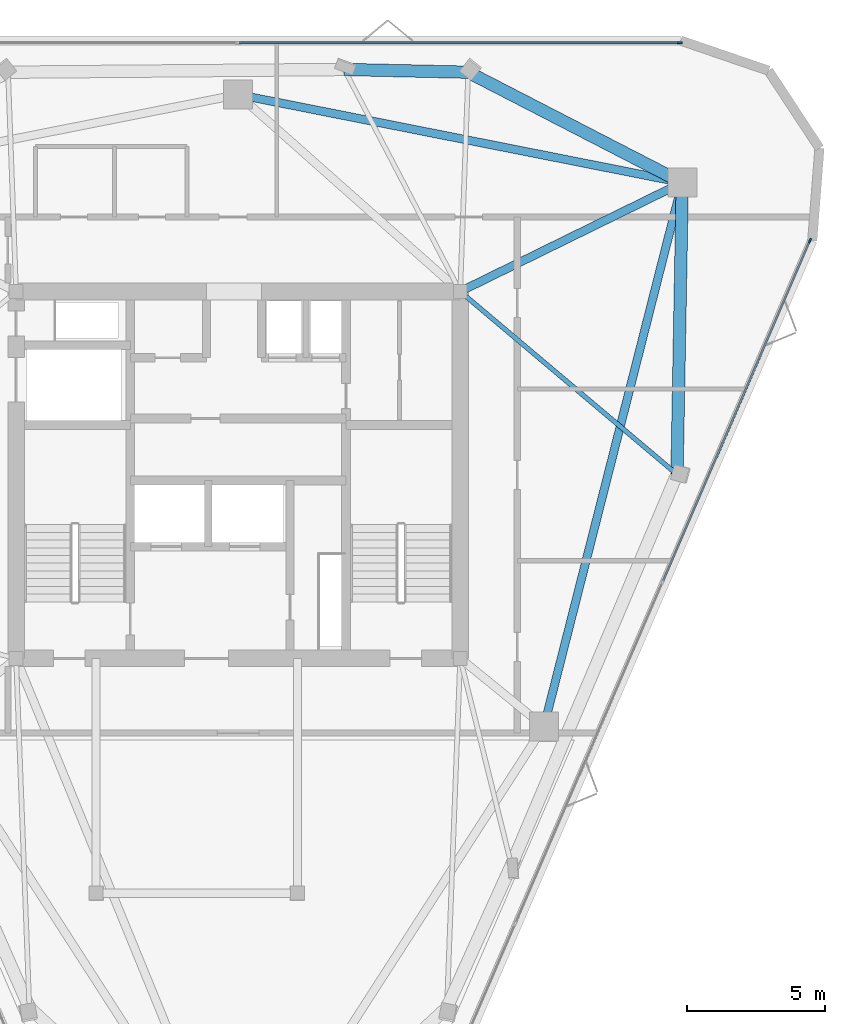
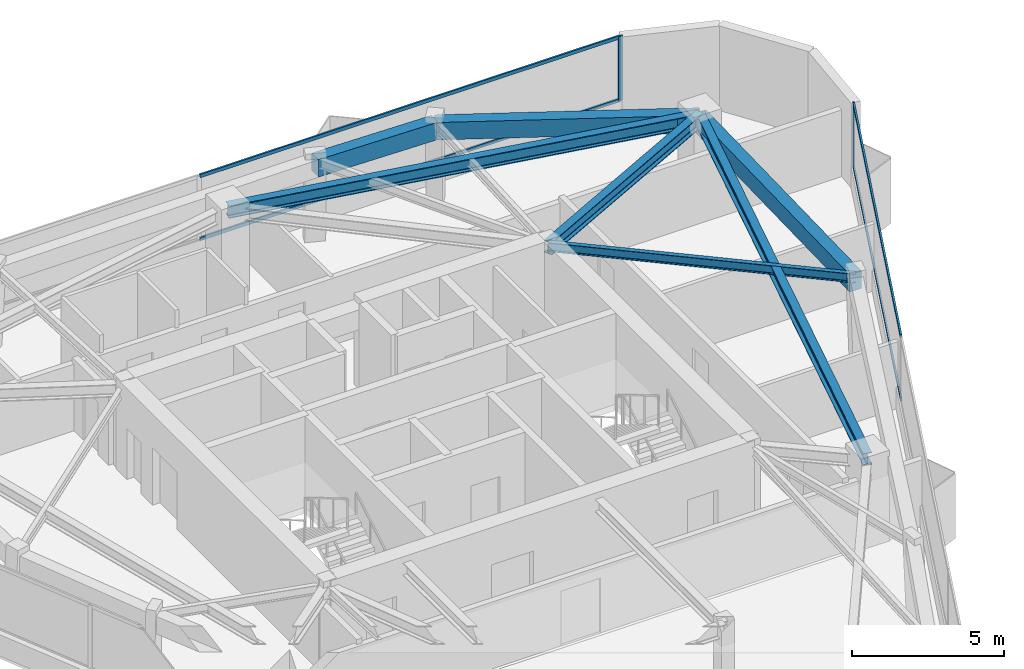
# One storey, part 5 of 9: 7 beams, 6 members, 2 elements without a shape of their own.
"""IFC4 building model written with IfcOpenShell, lengths in metres."""

from ifc_helpers import new_model, si_unit, direction, frame, origin, origin_2d, place, context, subcontext, project, spatial, rectangle, i_section, extrude, material, layer, layer_set, material_profile, profile_set, type_object, element, aggregate, save


model = new_model("IFC4")

# Units and contexts
model_context = context("Model", 3, precision=1e-05, world=origin(), true_north=direction((0.0, 1.0)))
body_context = subcontext(model_context, "Body", "Model", "MODEL_VIEW")
ifc_project = project(units=[si_unit("LENGTHUNIT", "METRE"), si_unit("AREAUNIT", "SQUARE_METRE"), si_unit("VOLUMEUNIT", "CUBIC_METRE"), si_unit("PLANEANGLEUNIT", "RADIAN"), si_unit("MASSUNIT", "GRAM", prefix="KILO")], contexts=[model_context])

# Site, building, storey
site_placement = place(None, origin())
site = spatial("IfcSite", under=ifc_project, at=site_placement, CompositionType="ELEMENT")
building_placement = place(site_placement, origin())
building = spatial("IfcBuilding", under=site, at=building_placement, Name="Talyreon Biosciences Tower", CompositionType="ELEMENT")
storey_placement = place(building_placement, frame((0.0, 0.0, 291.10009765625)))
storey = spatial("IfcBuildingStorey", under=building, at=storey_placement, Name="L77", CompositionType="ELEMENT", Elevation=291.10009765625)

# Curtain wall, member
ifc_material_1 = material(Name="Thermally broken aluminium and low-E glazing", Category="aluminium")
ifc_layer = layer(ifc_material_1, 0.175048828125)
ifc_layer_set = layer_set([ifc_layer], Name="Thermally broken aluminium and low-E glazing")
curtain_wall_type = type_object("IfcCurtainWallType", Name="CurtainWall_Zone5CompLab", PredefinedType="NOTDEFINED", material=ifc_layer_set)
curtain_wall_1_placement = place(storey_placement, origin())
curtain_wall_1 = element("IfcCurtainWall", 1, at=curtain_wall_1_placement, inside=storey, type_object=curtain_wall_type, Name="L77 Unitised Curtain Wall FCW-L77-04", PredefinedType="NOTDEFINED")
ifc_material_2 = material(Name="Anodised thermally broken aluminium", Category="aluminium")
ifc_material_profile_1 = material_profile(ifc_material_2, rectangle(XDim=0.06494140625, YDim=0.179931640625, at=origin_2d()), Name="ALUM MULLION 65x180")
ifc_profile_set_1 = profile_set([ifc_material_profile_1], Name="Anodised thermally broken aluminium")
member_type_1 = type_object("IfcMemberType", Name="CWMullion_65x180", PredefinedType="MULLION", material=ifc_profile_set_1)
member_1_placement = place(storey_placement, frame((82.009765625, 83.67041015625, 0.809814453125), z_axis=(0.0, 0.0, 1.0), x_axis=(0.0, 1.0, 0.0)))
member_1 = element("IfcMember", 2, at=member_1_placement, type_object=member_type_1, Name="CW6 mullion 3", PredefinedType="MULLION", context=body_context, shape_type="SweptSolid", body=[
    extrude(rectangle(XDim=0.06494140625, YDim=0.179931640625, at=origin_2d()), origin(), (0.0, 0.0, 1.0), 2.590087890625),
])

curtain_wall_2_placement = place(storey_placement, origin())
curtain_wall_2 = element("IfcCurtainWall", 3, at=curtain_wall_2_placement, inside=storey, type_object=curtain_wall_type, Name="L77 Unitised Curtain Wall FCW-L77-08", PredefinedType="NOTDEFINED")
member_2_placement = place(storey_placement, frame((86.73046875, 76.4921875, 0.809814453125), z_axis=(0.0, 0.0, 1.0), x_axis=(0.918187314575, -0.396146507437, 0.0)))
member_2 = element("IfcMember", 4, at=member_2_placement, type_object=member_type_1, Name="CW6 mullion 1", PredefinedType="MULLION", context=body_context, shape_type="SweptSolid", body=[
    extrude(rectangle(XDim=0.06494140625, YDim=0.179931640625, at=origin_2d()), origin(), (0.0, 0.0, 1.0), 2.590087890625),
])

# Member
ifc_material_profile_2 = material_profile(ifc_material_2, rectangle(XDim=0.06494140625, YDim=0.139892578125, at=origin_2d()), Name="ALUM TRANSOM 65x140")
ifc_profile_set_2 = profile_set([ifc_material_profile_2], Name="Anodised thermally broken aluminium")
member_type_2 = type_object("IfcMemberType", Name="CWTransom_65x140", PredefinedType="USERDEFINED", material=ifc_profile_set_2)
member_3_placement = place(storey_placement, frame((66.032470703125, 83.67041015625, 0.84228515625), z_axis=(1.0, 0.0, 0.0), x_axis=(0.0, 1.0, 0.0)))
member_3 = element("IfcMember", 5, at=member_3_placement, type_object=member_type_2, Name="CW6 transom 2.1", ObjectType="TRANSOM", PredefinedType="USERDEFINED", context=body_context, shape_type="SweptSolid", body=[
    extrude(rectangle(XDim=0.06494140625, YDim=0.139892578125, at=origin_2d()), origin(), (0.0, 0.0, 1.0), 15.94482421875),
])

member_4_placement = place(storey_placement, frame((66.032470703125, 83.67041015625, 3.367431640625), z_axis=(1.0, 0.0, 0.0), x_axis=(0.0, 1.0, 0.0)))
member_4 = element("IfcMember", 6, at=member_4_placement, type_object=member_type_2, Name="CW6 transom 2.2", ObjectType="TRANSOM", PredefinedType="USERDEFINED", context=body_context, shape_type="SweptSolid", body=[
    extrude(rectangle(XDim=0.06494140625, YDim=0.139892578125, at=origin_2d()), origin(), (0.0, 0.0, 1.0), 15.94482421875),
])

aggregate(curtain_wall_1, [member_1, member_3, member_4])

member_5_placement = place(storey_placement, frame((86.717529296875, 76.46240234375, 0.84228515625), z_axis=(-0.396134480122, -0.918192503595, 0.0), x_axis=(0.918192503595, -0.396134480122, 0.0)))
member_5 = element("IfcMember", 7, at=member_5_placement, type_object=member_type_2, Name="CW6 transom 1.1", ObjectType="TRANSOM", PredefinedType="USERDEFINED", context=body_context, shape_type="SweptSolid", body=[
    extrude(rectangle(XDim=0.06494140625, YDim=0.139892578125, at=origin_2d()), origin(), (0.0, 0.0, 1.0), 13.40087890625),
])

member_6_placement = place(storey_placement, frame((86.717529296875, 76.46240234375, 3.367431640625), z_axis=(-0.396134480122, -0.918192503595, 0.0), x_axis=(0.918192503595, -0.396134480122, 0.0)))
member_6 = element("IfcMember", 8, at=member_6_placement, type_object=member_type_2, Name="CW6 transom 1.2", ObjectType="TRANSOM", PredefinedType="USERDEFINED", context=body_context, shape_type="SweptSolid", body=[
    extrude(rectangle(XDim=0.06494140625, YDim=0.139892578125, at=origin_2d()), origin(), (0.0, 0.0, 1.0), 13.40087890625),
])

aggregate(curtain_wall_2, [member_2, member_5, member_6])

# Beams
ifc_material_3 = material(Name="Precast concrete C45/55", Category="concrete")
ifc_material_profile_3 = material_profile(ifc_material_3, rectangle(XDim=0.449951171875, YDim=0.699951171875, at=origin_2d()), Name="RCB 450x700")
ifc_profile_set_3 = profile_set([ifc_material_profile_3], Name="Precast concrete C45/55")
beam_type_1 = type_object("IfcBeamType", Name="ExpressedSpandrel_450x700", PredefinedType="SPANDREL", material=ifc_profile_set_3)
beam_1_placement = place(storey_placement, frame((81.910888671875, 68.02197265625, 3.0498046875), z_axis=(0.018094078076, 0.999836288769, 0.0), x_axis=(-0.999836288769, 0.018094078076, 0.0)))
element("IfcBeam", 9, at=beam_1_placement, inside=storey, type_object=beam_type_1, Name="L77 Expressed Horizontal Concrete Spandrel 04", PredefinedType="SPANDREL", context=body_context, shape_type="SweptSolid", body=[
    extrude(rectangle(XDim=0.449951171875, YDim=0.699951171875, at=origin_2d()), origin(), (0.0, 0.0, 1.0), 10.578369140625),
])
beam_2_placement = place(storey_placement, frame((82.102294921875, 78.5986328125, 3.0498046875), z_axis=(-0.888787862176, 0.458318814853, 0.0), x_axis=(-0.458318814853, -0.888787862176, 0.0)))
element("IfcBeam", 10, at=beam_2_placement, inside=storey, type_object=beam_type_1, Name="L77 Expressed Horizontal Concrete Spandrel 05", PredefinedType="SPANDREL", context=body_context, shape_type="SweptSolid", body=[
    extrude(rectangle(XDim=0.449951171875, YDim=0.699951171875, at=origin_2d()), origin(), (0.0, 0.0, 1.0), 8.731201171875),
])
beam_3_placement = place(storey_placement, frame((74.342041015625, 82.600341796875, 3.0498046875), z_axis=(-0.999753016885, 0.022223978689, 0.0), x_axis=(-0.022223978689, -0.999753016885, 0.0)))
element("IfcBeam", 11, at=beam_3_placement, inside=storey, type_object=beam_type_1, Name="L77 Expressed Horizontal Concrete Spandrel 06", PredefinedType="SPANDREL", context=body_context, shape_type="SweptSolid", body=[
    extrude(rectangle(XDim=0.449951171875, YDim=0.699951171875, at=origin_2d()), origin(), (0.0, 0.0, 1.0), 4.4931640625),
])
ifc_material_4 = material(Name="Steel SM355", Category="steel")
ifc_material_profile_4 = material_profile(ifc_material_4, i_section(OverallWidth=0.300048828125, OverallDepth=0.5, WebThickness=0.014404296875, FlangeThickness=0.028076171875, FilletRadius=0.027099609375, at=origin_2d()), Name="HE500B")
ifc_profile_set_4 = profile_set([ifc_material_profile_4], Name="Steel SM355")
beam_type_2 = type_object("IfcBeamType", Name="SteelBeam_HE500B", PredefinedType="BEAM", material=ifc_profile_set_4)
beam_4_placement = place(storey_placement, frame((77.086181640625, 58.88037109375, 3.14990234375), z_axis=(0.246537082299, 0.969133358755, 0.0), x_axis=(-0.969133358755, 0.246537082299, 0.0)))
element("IfcBeam", 12, at=beam_4_placement, inside=storey, type_object=beam_type_2, Name="L77 Mega-Ring Girder 2", PredefinedType="BEAM", context=body_context, shape_type="SweptSolid", body=[
    extrude(i_section(OverallWidth=0.300048828125, OverallDepth=0.5, WebThickness=0.014404296875, FlangeThickness=0.028076171875, FilletRadius=0.027099609375, at=origin_2d()), origin(), (0.0, 0.0, 1.0), 20.34619140625),
])
beam_5_placement = place(storey_placement, frame((82.102294921875, 78.5986328125, 3.14990234375), z_axis=(-0.980933730698, 0.194342522311, 0.0), x_axis=(-0.194342522311, -0.980933730698, 0.0)))
element("IfcBeam", 13, at=beam_5_placement, inside=storey, type_object=beam_type_2, Name="L77 Mega-Ring Girder 3", PredefinedType="BEAM", context=body_context, shape_type="SweptSolid", body=[
    extrude(i_section(OverallWidth=0.300048828125, OverallDepth=0.5, WebThickness=0.014404296875, FlangeThickness=0.028076171875, FilletRadius=0.027099609375, at=origin_2d()), origin(), (0.0, 0.0, 1.0), 16.415283203125),
])
beam_6_placement = place(storey_placement, frame((74.050048828125, 74.64990234375, 3.14990234375), z_axis=(0.897852360314, 0.440296648952, 0.0), x_axis=(-0.440296648952, 0.897852360314, 0.0)))
element("IfcBeam", 14, at=beam_6_placement, inside=storey, type_object=beam_type_2, Name="L77 Radial Primary Girder 3", PredefinedType="BEAM", context=body_context, shape_type="SweptSolid", body=[
    extrude(i_section(OverallWidth=0.300048828125, OverallDepth=0.5, WebThickness=0.014404296875, FlangeThickness=0.028076171875, FilletRadius=0.027099609375, at=origin_2d()), origin(), (0.0, 0.0, 1.0), 8.96826171875),
])
ifc_material_profile_5 = material_profile(ifc_material_4, i_section(OverallWidth=0.169921875, OverallDepth=0.360107421875, WebThickness=0.008056640625, FlangeThickness=0.0126953125, FilletRadius=0.01806640625, at=origin_2d()), Name="IPE360")
ifc_profile_set_5 = profile_set([ifc_material_profile_5], Name="Steel SM355")
beam_type_3 = type_object("IfcBeamType", Name="SteelJoist_IPE360", PredefinedType="JOIST", material=ifc_profile_set_5)
beam_7_placement = place(storey_placement, frame((74.050048828125, 74.64990234375, 3.219970703125), z_axis=(0.764514521829, -0.644606504709, 0.0), x_axis=(0.644606504709, 0.764514521829, 0.0)))
element("IfcBeam", 15, at=beam_7_placement, inside=storey, type_object=beam_type_3, Name="L77 Radial Composite Floor Joist PC-SE2", PredefinedType="JOIST", context=body_context, shape_type="SweptSolid", body=[
    extrude(i_section(OverallWidth=0.169921875, OverallDepth=0.360107421875, WebThickness=0.008056640625, FlangeThickness=0.0126953125, FilletRadius=0.01806640625, at=origin_2d()), origin(), (0.0, 0.0, 1.0), 10.2822265625),
])

save(model, "model.ifc")
